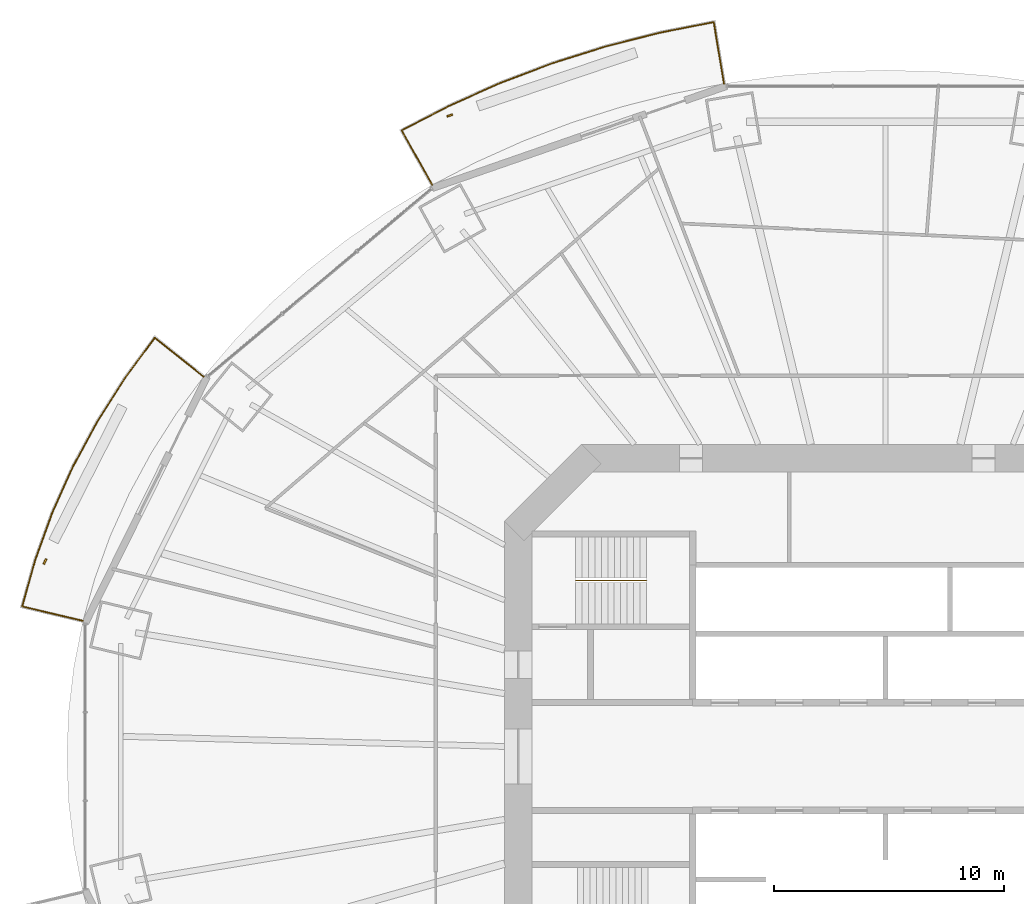
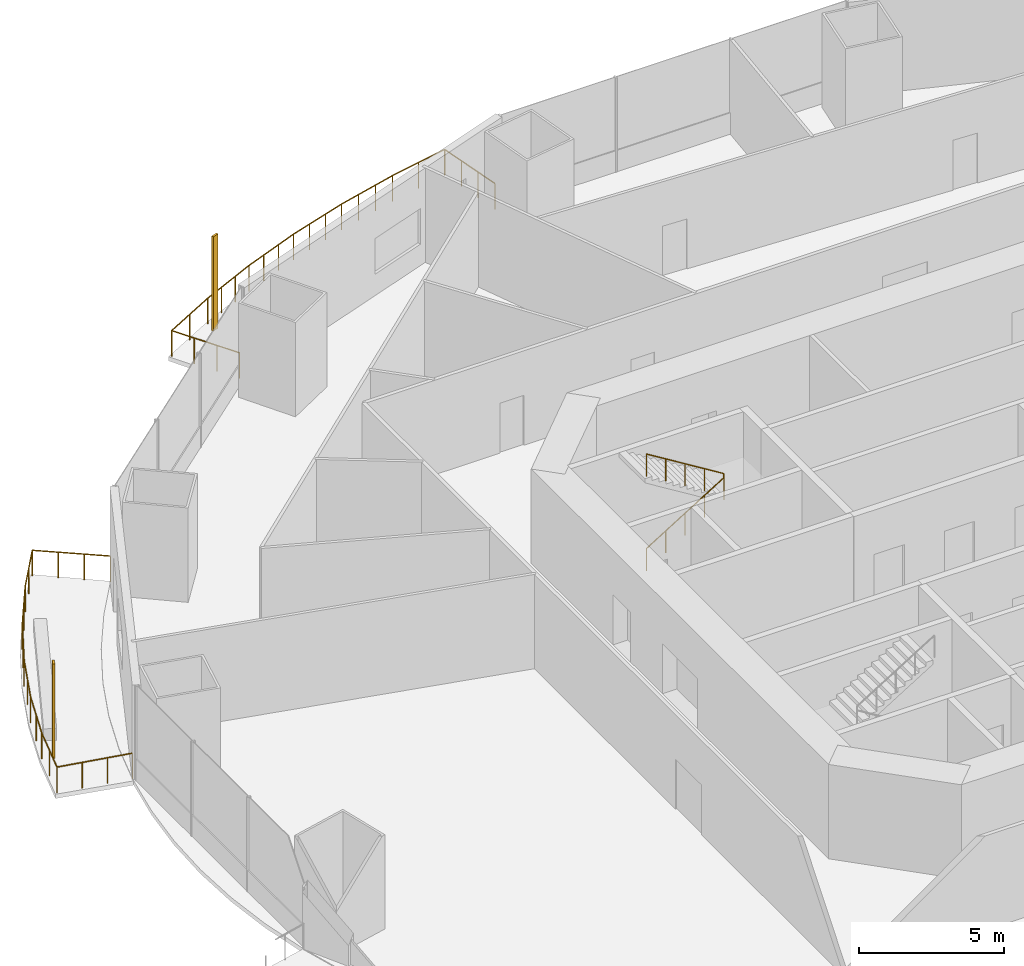
# One storey, part 19 of 22: 3 railings, 2 shading devices.
"""IFC4 building model written with IfcOpenShell, lengths in metres."""

from ifc_helpers import new_model, si_unit, direction, frame, origin, origin_2d, place, context, subcontext, project, spatial, rectangle, circle, extrude, material, material_profile, profile_set, type_object, element, save


model = new_model("IFC4")

# Units and contexts
model_context = context("Model", 3, precision=1e-05, world=origin(), true_north=direction((0.0, 1.0)))
body_context = subcontext(model_context, "Body", "Model", "MODEL_VIEW")
ifc_project = project(units=[si_unit("LENGTHUNIT", "METRE"), si_unit("AREAUNIT", "SQUARE_METRE"), si_unit("VOLUMEUNIT", "CUBIC_METRE"), si_unit("PLANEANGLEUNIT", "RADIAN"), si_unit("MASSUNIT", "GRAM", prefix="KILO")], contexts=[model_context])

# Site, building, storey
site_placement = place(None, origin())
site = spatial("IfcSite", under=ifc_project, at=site_placement, CompositionType="ELEMENT")
building_placement = place(site_placement, origin())
building = spatial("IfcBuilding", under=site, at=building_placement, Name="Marenthal Gate Tower", CompositionType="ELEMENT")
storey_placement = place(building_placement, frame((0.0, 0.0, 78.64990234375)))
storey = spatial("IfcBuildingStorey", under=building, at=storey_placement, Name="L15", CompositionType="ELEMENT", Elevation=78.64990234375)

# Railings
ifc_material_1 = material(Name="Stainless steel", Category="steel")
railing_type_1 = type_object("IfcRailingType", Name="Balcony guard 1100", PredefinedType="GUARDRAIL", material=ifc_material_1)
railing_1_placement = place(storey_placement, frame((-19.7490234375, 24.9033203125, 0.0)))
element("IfcRailing", 1, at=railing_1_placement, inside=storey, type_object=railing_type_1, Name="Balcony guard L15 bay 5", PredefinedType="GUARDRAIL", context=body_context, shape_type="SweptSolid", body=[
    extrude(circle(Radius=0.02392578125, at=origin_2d()), frame((0.0, 0.0, 1.076171875), z_axis=(-0.488917232051, 0.872207521714, -0.014628030254), x_axis=(-0.872300853857, -0.488969549523, 0.0)), (0.0, 0.0, 1.0), 2.720458984375),
    extrude(circle(Radius=0.02392578125, at=origin_2d()), frame((-1.330078125, 2.372802734375, 1.0361328125), z_axis=(0.887259903965, 0.461269837314, 0.0), x_axis=(-0.461269837314, 0.887259903965, 0.0)), (0.0, 0.0, 1.0), 2.318359375),
    extrude(circle(Radius=0.02392578125, at=origin_2d()), frame((0.726806640625, 3.442138671875, 1.0361328125), z_axis=(0.91254444095, 0.408977558419, 0.0), x_axis=(-0.408977558419, 0.91254444095, 0.0)), (0.0, 0.0, 1.0), 2.415771484375),
    extrude(circle(Radius=0.02392578125, at=origin_2d()), frame((2.931396484375, 4.43017578125, 1.0361328125), z_axis=(0.934822913626, 0.355114235366, 0.0), x_axis=(-0.355114235366, 0.934822913626, 0.0)), (0.0, 0.0, 1.0), 2.431640625),
    extrude(circle(Radius=0.02392578125, at=origin_2d()), frame((5.20458984375, 5.293701171875, 1.0361328125), z_axis=(0.953650519342, 0.300916411912, 0.0), x_axis=(-0.300916411912, 0.953650519342, 0.0)), (0.0, 0.0, 1.0), 2.446044921875),
    extrude(circle(Radius=0.02392578125, at=origin_2d()), frame((7.537353515625, 6.02978515625, 1.0361328125), z_axis=(0.969164913017, 0.246413009756, 0.0), x_axis=(-0.246413009756, 0.969164913017, 0.0)), (0.0, 0.0, 1.0), 2.4580078125),
    extrude(circle(Radius=0.02392578125, at=origin_2d()), frame((9.919677734375, 6.635498046875, 1.0361328125), z_axis=(0.981255035118, 0.192713663388, 0.0), x_axis=(-0.192713663388, 0.981255035118, 0.0)), (0.0, 0.0, 1.0), 2.387939453125),
    extrude(circle(Radius=0.02392578125, at=origin_2d()), frame((12.262939453125, 7.095703125, 1.0361328125), z_axis=(0.164599699224, -0.98625196007, 0.014629089953), x_axis=(0.986357511038, 0.164617315064, 0.0)), (0.0, 0.0, 1.0), 2.72021484375),
    extrude(circle(Radius=0.02099609375, at=origin_2d()), origin(), (0.0, 0.0, 1.0), 1.052001953125),
    extrude(circle(Radius=0.02099609375, at=origin_2d()), frame((-0.443359375, 0.791015625, -0.01318359375)), (0.0, 0.0, 1.0), 1.052001953125),
    extrude(circle(Radius=0.02099609375, at=origin_2d()), frame((-0.88671875, 1.581787109375, -0.026611328125)), (0.0, 0.0, 1.0), 1.052001953125),
    extrude(circle(Radius=0.02099609375, at=origin_2d()), frame((-1.330078125, 2.372802734375, -0.039794921875)), (0.0, 0.0, 1.0), 1.052001953125),
    extrude(circle(Radius=0.02099609375, at=origin_2d()), frame((-0.3017578125, 2.907470703125, -0.039794921875)), (0.0, 0.0, 1.0), 1.052001953125),
    extrude(circle(Radius=0.02099609375, at=origin_2d()), frame((0.726806640625, 3.442138671875, -0.039794921875)), (0.0, 0.0, 1.0), 1.052001953125),
    extrude(circle(Radius=0.02099609375, at=origin_2d()), frame((1.461669921875, 3.771484375, -0.039794921875)), (0.0, 0.0, 1.0), 1.052001953125),
    extrude(circle(Radius=0.02099609375, at=origin_2d()), frame((2.196533203125, 4.100830078125, -0.039794921875)), (0.0, 0.0, 1.0), 1.052001953125),
    extrude(circle(Radius=0.02099609375, at=origin_2d()), frame((2.931396484375, 4.43017578125, -0.039794921875)), (0.0, 0.0, 1.0), 1.052001953125),
    extrude(circle(Radius=0.02099609375, at=origin_2d()), frame((3.689208984375, 4.718017578125, -0.039794921875)), (0.0, 0.0, 1.0), 1.052001953125),
    extrude(circle(Radius=0.02099609375, at=origin_2d()), frame((4.44677734375, 5.005859375, -0.039794921875)), (0.0, 0.0, 1.0), 1.052001953125),
    extrude(circle(Radius=0.02099609375, at=origin_2d()), frame((5.20458984375, 5.293701171875, -0.039794921875)), (0.0, 0.0, 1.0), 1.052001953125),
    extrude(circle(Radius=0.02099609375, at=origin_2d()), frame((5.982177734375, 5.5390625, -0.039794921875)), (0.0, 0.0, 1.0), 1.052001953125),
    extrude(circle(Radius=0.02099609375, at=origin_2d()), frame((6.759765625, 5.784423828125, -0.039794921875)), (0.0, 0.0, 1.0), 1.052001953125),
    extrude(circle(Radius=0.02099609375, at=origin_2d()), frame((7.537353515625, 6.02978515625, -0.039794921875)), (0.0, 0.0, 1.0), 1.052001953125),
    extrude(circle(Radius=0.02099609375, at=origin_2d()), frame((8.33154296875, 6.231689453125, -0.039794921875)), (0.0, 0.0, 1.0), 1.052001953125),
    extrude(circle(Radius=0.02099609375, at=origin_2d()), frame((9.12548828125, 6.43359375, -0.039794921875)), (0.0, 0.0, 1.0), 1.052001953125),
    extrude(circle(Radius=0.02099609375, at=origin_2d()), frame((9.919677734375, 6.635498046875, -0.039794921875)), (0.0, 0.0, 1.0), 1.052001953125),
    extrude(circle(Radius=0.02099609375, at=origin_2d()), frame((11.09130859375, 6.86572265625, -0.039794921875)), (0.0, 0.0, 1.0), 1.052001953125),
    extrude(circle(Radius=0.02099609375, at=origin_2d()), frame((12.262939453125, 7.095703125, -0.039794921875)), (0.0, 0.0, 1.0), 1.052001953125),
    extrude(circle(Radius=0.02099609375, at=origin_2d()), frame((12.412109375, 6.201416015625, -0.026611328125)), (0.0, 0.0, 1.0), 1.052001953125),
    extrude(circle(Radius=0.02099609375, at=origin_2d()), frame((12.5615234375, 5.30712890625, -0.01318359375)), (0.0, 0.0, 1.0), 1.052001953125),
    extrude(circle(Radius=0.02099609375, at=origin_2d()), frame((12.710693359375, 4.412841796875, 0.0)), (0.0, 0.0, 1.0), 1.052001953125),
])
railing_2_placement = place(storey_placement, frame((-34.96923828125, 5.911865234375, 0.0)))
element("IfcRailing", 2, at=railing_2_placement, inside=storey, type_object=railing_type_1, Name="Balcony guard L15 bay 7", PredefinedType="GUARDRAIL", context=body_context, shape_type="SweptSolid", body=[
    extrude(circle(Radius=0.02392578125, at=origin_2d()), frame((0.0, 0.0, 1.076171875), z_axis=(-0.972923153232, 0.23066536013, -0.014629748522), x_axis=(-0.230690048693, -0.973027287096, 0.0)), (0.0, 0.0, 1.0), 2.72021484375),
    extrude(circle(Radius=0.02392578125, at=origin_2d()), frame((-2.646484375, 0.62744140625, 1.0361328125), z_axis=(0.26934176956, 0.963044656893, 0.0), x_axis=(-0.963044656893, 0.26934176956, 0.0)), (0.0, 0.0, 1.0), 2.105712890625),
    extrude(circle(Radius=0.02392578125, at=origin_2d()), frame((-2.079345703125, 2.6552734375, 1.0361328125), z_axis=(0.340269936614, 0.940327799353, 0.0), x_axis=(-0.940327799353, 0.340269936614, 0.0)), (0.0, 0.0, 1.0), 2.1962890625),
    extrude(circle(Radius=0.02392578125, at=origin_2d()), frame((-1.33203125, 4.720458984375, 1.0361328125), z_axis=(0.409519083019, 0.912301551376, 0.0), x_axis=(-0.912301551376, 0.409519083019, 0.0)), (0.0, 0.0, 1.0), 2.20947265625),
    extrude(circle(Radius=0.02392578125, at=origin_2d()), frame((-0.42724609375, 6.736083984375, 1.0361328125), z_axis=(0.475441262736, 0.879747466997, 0.0), x_axis=(-0.879747466997, 0.475441262736, 0.0)), (0.0, 0.0, 1.0), 2.223876953125),
    extrude(circle(Radius=0.02392578125, at=origin_2d()), frame((0.630126953125, 8.692626953125, 1.0361328125), z_axis=(0.53758735843, 0.843208059767, 0.0), x_axis=(-0.843208059767, 0.53758735843, 0.0)), (0.0, 0.0, 1.0), 2.24072265625),
    extrude(circle(Radius=0.02392578125, at=origin_2d()), frame((1.834716796875, 10.58203125, 1.0361328125), z_axis=(0.594680833833, 0.803961880857, 0.0), x_axis=(-0.803961880857, 0.594680833833, 0.0)), (0.0, 0.0, 1.0), 2.17919921875),
    extrude(circle(Radius=0.02392578125, at=origin_2d()), frame((3.130615234375, 12.333984375, 1.0361328125), z_axis=(0.782140551652, -0.622930300519, 0.014628675837), x_axis=(0.622996964186, 0.782224253405, 0.0)), (0.0, 0.0, 1.0), 2.72021484375),
    extrude(circle(Radius=0.02099609375, at=origin_2d()), origin(), (0.0, 0.0, 1.0), 1.052001953125),
    extrude(circle(Radius=0.02099609375, at=origin_2d()), frame((-0.882080078125, 0.209228515625, -0.01318359375)), (0.0, 0.0, 1.0), 1.052001953125),
    extrude(circle(Radius=0.02099609375, at=origin_2d()), frame((-1.764404296875, 0.418212890625, -0.026611328125)), (0.0, 0.0, 1.0), 1.052001953125),
    extrude(circle(Radius=0.02099609375, at=origin_2d()), frame((-2.646484375, 0.62744140625, -0.039794921875)), (0.0, 0.0, 1.0), 1.052001953125),
    extrude(circle(Radius=0.02099609375, at=origin_2d()), frame((-2.36279296875, 1.641357421875, -0.039794921875)), (0.0, 0.0, 1.0), 1.052001953125),
    extrude(circle(Radius=0.02099609375, at=origin_2d()), frame((-2.079345703125, 2.6552734375, -0.039794921875)), (0.0, 0.0, 1.0), 1.052001953125),
    extrude(circle(Radius=0.02099609375, at=origin_2d()), frame((-1.70556640625, 3.68798828125, -0.039794921875)), (0.0, 0.0, 1.0), 1.052001953125),
    extrude(circle(Radius=0.02099609375, at=origin_2d()), frame((-1.33203125, 4.720458984375, -0.039794921875)), (0.0, 0.0, 1.0), 1.052001953125),
    extrude(circle(Radius=0.02099609375, at=origin_2d()), frame((-0.879638671875, 5.728271484375, -0.039794921875)), (0.0, 0.0, 1.0), 1.052001953125),
    extrude(circle(Radius=0.02099609375, at=origin_2d()), frame((-0.42724609375, 6.736083984375, -0.039794921875)), (0.0, 0.0, 1.0), 1.052001953125),
    extrude(circle(Radius=0.02099609375, at=origin_2d()), frame((0.1015625, 7.71435546875, -0.039794921875)), (0.0, 0.0, 1.0), 1.052001953125),
    extrude(circle(Radius=0.02099609375, at=origin_2d()), frame((0.630126953125, 8.692626953125, -0.039794921875)), (0.0, 0.0, 1.0), 1.052001953125),
    extrude(circle(Radius=0.02099609375, at=origin_2d()), frame((1.232421875, 9.63720703125, -0.039794921875)), (0.0, 0.0, 1.0), 1.052001953125),
    extrude(circle(Radius=0.02099609375, at=origin_2d()), frame((1.834716796875, 10.58203125, -0.039794921875)), (0.0, 0.0, 1.0), 1.052001953125),
    extrude(circle(Radius=0.02099609375, at=origin_2d()), frame((2.482666015625, 11.4580078125, -0.039794921875)), (0.0, 0.0, 1.0), 1.052001953125),
    extrude(circle(Radius=0.02099609375, at=origin_2d()), frame((3.130615234375, 12.333984375, -0.039794921875)), (0.0, 0.0, 1.0), 1.052001953125),
    extrude(circle(Radius=0.02099609375, at=origin_2d()), frame((3.83984375, 11.76904296875, -0.026611328125)), (0.0, 0.0, 1.0), 1.052001953125),
    extrude(circle(Radius=0.02099609375, at=origin_2d()), frame((4.549072265625, 11.204345703125, -0.01318359375)), (0.0, 0.0, 1.0), 1.052001953125),
    extrude(circle(Radius=0.02099609375, at=origin_2d()), frame((5.25830078125, 10.639404296875, 0.0)), (0.0, 0.0, 1.0), 1.052001953125),
])
ifc_material_2 = material(Name="Stainless steel", Category="steel")
railing_type_2 = type_object("IfcRailingType", Name="Stair handrail", PredefinedType="HANDRAIL", material=ifc_material_2)
railing_3_placement = place(storey_placement, frame((-13.5, 7.675048828125, 0.173095703125)))
element("IfcRailing", 3, at=railing_3_placement, inside=storey, type_object=railing_type_2, Name="Handrail ST1", PredefinedType="HANDRAIL", context=body_context, shape_type="SweptSolid", body=[
    extrude(circle(Radius=0.0224609375, at=origin_2d()), frame((0.0, 0.0, 0.927490234375), z_axis=(0.850835241893, 0.0, 0.525432575268), x_axis=(0.0, 1.0, 0.0)), (0.0, 0.0, 1.0), 3.6201171875),
    extrude(circle(Radius=0.0224609375, at=origin_2d()), frame((3.080078125, 0.0, 2.82958984375), z_axis=(0.0, 0.0, 1.0), x_axis=(1.0, 0.0, 0.0)), (0.0, 0.0, 1.0), 0.1728515625),
    extrude(circle(Radius=0.0224609375, at=origin_2d()), frame((3.080078125, 0.0, 3.00244140625), z_axis=(-0.850835241893, 0.0, 0.525432575268), x_axis=(0.0, -1.0, 0.0)), (0.0, 0.0, 1.0), 3.6201171875),
    extrude(circle(Radius=0.02001953125, at=origin_2d()), origin(), (0.0, 0.0, 1.0), 0.905029296875),
    extrude(circle(Radius=0.02001953125, at=origin_2d()), frame((0.77001953125, 0.0, 0.4755859375)), (0.0, 0.0, 1.0), 0.905029296875),
    extrude(circle(Radius=0.02001953125, at=origin_2d()), frame((1.5400390625, 0.0, 0.951171875)), (0.0, 0.0, 1.0), 0.905029296875),
    extrude(circle(Radius=0.02001953125, at=origin_2d()), frame((2.31005859375, 0.0, 1.426513671875)), (0.0, 0.0, 1.0), 0.905029296875),
    extrude(circle(Radius=0.02001953125, at=origin_2d()), frame((3.080078125, 0.0, 1.902099609375)), (0.0, 0.0, 1.0), 0.905029296875),
    extrude(circle(Radius=0.02001953125, at=origin_2d()), frame((3.080078125, 0.0, 2.074951171875)), (0.0, 0.0, 1.0), 0.905029296875),
    extrude(circle(Radius=0.02001953125, at=origin_2d()), frame((2.31005859375, 0.0, 2.550537109375)), (0.0, 0.0, 1.0), 0.905029296875),
    extrude(circle(Radius=0.02001953125, at=origin_2d()), frame((1.5400390625, 0.0, 3.02587890625)), (0.0, 0.0, 1.0), 0.905029296875),
    extrude(circle(Radius=0.02001953125, at=origin_2d()), frame((0.77001953125, 0.0, 3.50146484375)), (0.0, 0.0, 1.0), 0.905029296875),
    extrude(circle(Radius=0.02001953125, at=origin_2d()), frame((0.0, 0.0, 3.97705078125)), (0.0, 0.0, 1.0), 0.905029296875),
])

# Shading devices
ifc_material_3 = material(Name="Terracotta", Category="masonry")
ifc_material_profile = material_profile(ifc_material_3, rectangle(XDim=0.25, YDim=0.080078125, at=origin_2d()), Name="Terracotta baguette 250x80")
ifc_profile_set = profile_set([ifc_material_profile], Name="Terracotta")
shading_device_type = type_object("IfcShadingDeviceType", Name="Terracotta BAGUETTE SCREEN 250x80", PredefinedType="USERDEFINED", material=ifc_profile_set)
for number, where, z_axis, x_axis, name in (
    (4, (-18.984375, 27.93017578125, -0.039794921875), (0.0, 0.0, 1.0), (-0.944656596613, -0.328060839595, 0.0), "Terracotta BAGUETTE L15 bay 5R"),
    (5, (-36.624755859375, 8.495361328125, -0.039794921875), (0.0, 0.0, 1.0), (-0.44293870584, -0.896551896361, 0.0), "Terracotta BAGUETTE L15 bay 7R"),
):
    element("IfcShadingDevice", number, at=place(storey_placement, frame(where, z_axis=z_axis, x_axis=x_axis)), inside=storey, type_object=shading_device_type, Name=name, ObjectType="BAGUETTE SCREEN", PredefinedType="USERDEFINED", context=body_context, shape_type="SweptSolid", body=[
        extrude(rectangle(XDim=0.25, YDim=0.080078125, at=origin_2d()), origin(), (0.0, 0.0, 1.0), 3.969970703125),
    ])

save(model, "model.ifc")
